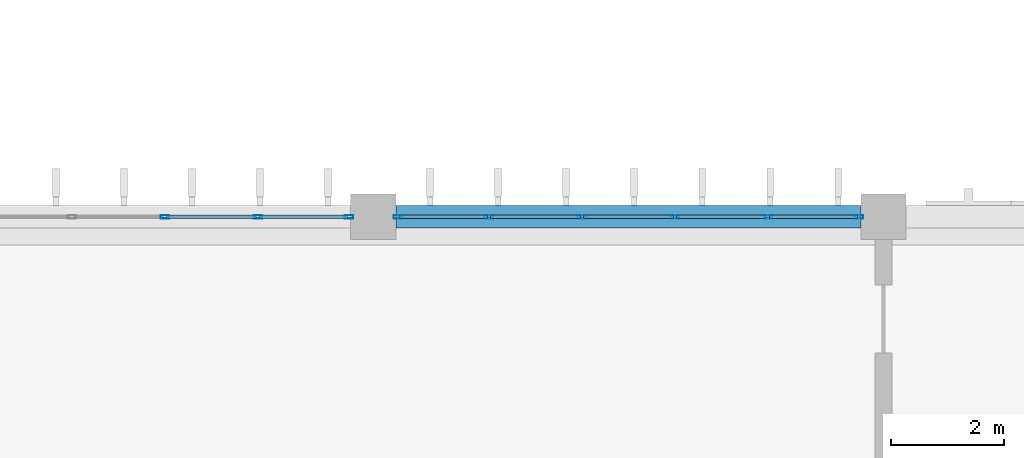
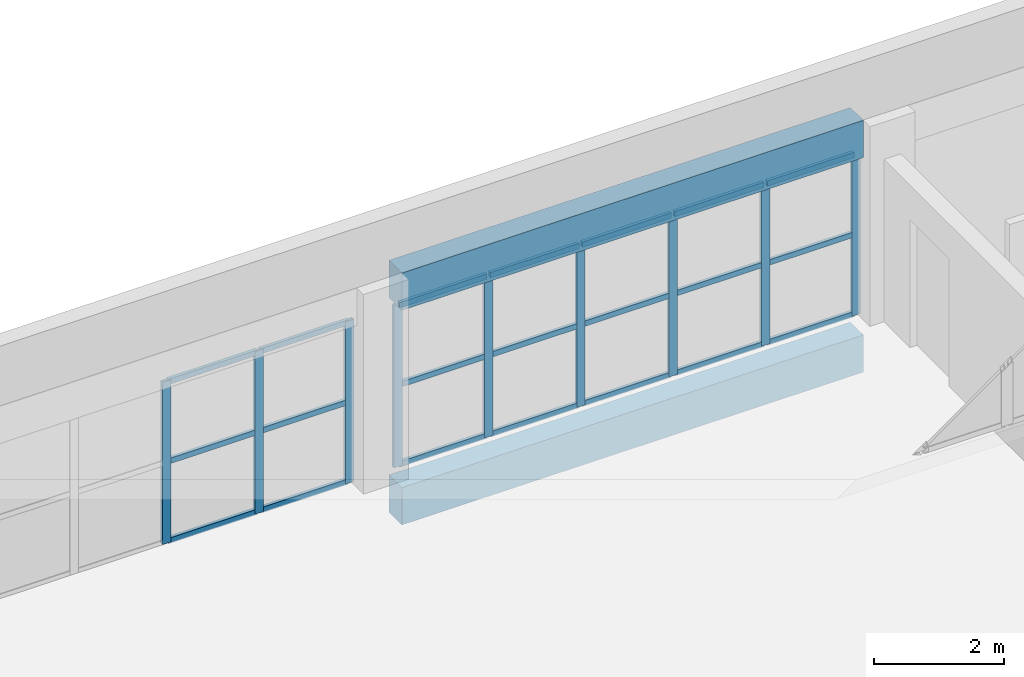
# One storey, part 67 of 185: 30 members, 2 beams, 2 elements without a shape of their own.
"""IFC4 building model written with IfcOpenShell, lengths in metres."""

from ifc_helpers import new_model, si_unit, direction, frame, origin, origin_2d, place, context, subcontext, project, spatial, rectangle, hollow_rectangle, extrude, material, layer, layer_set, material_profile, profile_set, type_object, element, aggregate, save


model = new_model("IFC4")

# Units and contexts
model_context = context("Model", 3, precision=1e-05, world=origin(), true_north=direction((0.0, 1.0)))
body_context = subcontext(model_context, "Body", "Model", "MODEL_VIEW")
ifc_project = project(units=[si_unit("LENGTHUNIT", "METRE"), si_unit("AREAUNIT", "SQUARE_METRE"), si_unit("VOLUMEUNIT", "CUBIC_METRE"), si_unit("PLANEANGLEUNIT", "RADIAN"), si_unit("MASSUNIT", "GRAM", prefix="KILO")], contexts=[model_context])

# Site, building, storey
site_placement = place(None, origin())
site = spatial("IfcSite", under=ifc_project, at=site_placement, CompositionType="ELEMENT")
building_placement = place(site_placement, origin())
building = spatial("IfcBuilding", under=site, at=building_placement, Name="Opaline Strait Convention Centre", CompositionType="ELEMENT")
storey_placement = place(building_placement, frame((0.0, 0.0, 6.0)))
storey = spatial("IfcBuildingStorey", under=building, at=storey_placement, Name="L01", CompositionType="ELEMENT", Elevation=6.0)

# Curtain wall, members
ifc_material_1 = material(Name="Aluminium 6063-T5", Category="aluminium")
ifc_layer = layer(ifc_material_1, 0.199951171875)
ifc_layer_set = layer_set([ifc_layer], Name="Aluminium 6063-T5")
curtain_wall_type = type_object("IfcCurtainWallType", Name="Unitised curtain wall 1640 module", PredefinedType="NOTDEFINED", material=ifc_layer_set)
curtain_wall_1_placement = place(storey_placement, origin())
curtain_wall_1 = element("IfcCurtainWall", 1, at=curtain_wall_1_placement, inside=storey, type_object=curtain_wall_type, Name="Ballroom north curtain wall L01 bay 5", PredefinedType="NOTDEFINED")
ifc_material_2 = material(Name="Aluminium alloy 6063", Category="aluminium")
ifc_material_profile_1 = material_profile(ifc_material_2, hollow_rectangle(XDim=0.06005859375, YDim=0.14990234375, WallThickness=0.00390625, at=origin_2d()), Name="MULLION 60x150x4")
ifc_profile_set_1 = profile_set([ifc_material_profile_1], Name="Aluminium alloy 6063")
member_type_1 = type_object("IfcMemberType", Name="Curtain wall mullion 60 x 150", PredefinedType="MULLION", material=ifc_profile_set_1)
member_1_placement = place(storey_placement, frame((329.320068359375, 72.0, 0.0), z_axis=(0.0, 0.0, 1.0), x_axis=(0.0, 1.0, 0.0)))
member_1 = element("IfcMember", 2, at=member_1_placement, type_object=member_type_1, Name="BG2 mullion 4", PredefinedType="MULLION", context=body_context, shape_type="SweptSolid", body=[
    extrude(hollow_rectangle(XDim=0.06005859375, YDim=0.14990234375, WallThickness=0.00390625, at=origin_2d()), origin(), (0.0, 0.0, 1.0), 3.050048828125),
])
member_2_placement = place(storey_placement, frame((330.9599609375, 72.0, 0.0), z_axis=(0.0, 0.0, 1.0), x_axis=(0.0, 1.0, 0.0)))
member_2 = element("IfcMember", 3, at=member_2_placement, type_object=member_type_1, Name="BG2 mullion 5", PredefinedType="MULLION", context=body_context, shape_type="SweptSolid", body=[
    extrude(hollow_rectangle(XDim=0.06005859375, YDim=0.14990234375, WallThickness=0.00390625, at=origin_2d()), origin(), (0.0, 0.0, 1.0), 3.050048828125),
])
member_3_placement = place(storey_placement, frame((332.570068359375, 72.0, 0.0), z_axis=(0.0, 0.0, 1.0), x_axis=(0.0, 1.0, 0.0)))
member_3 = element("IfcMember", 4, at=member_3_placement, type_object=member_type_1, Name="BG2 mullion 6", PredefinedType="MULLION", context=body_context, shape_type="SweptSolid", body=[
    extrude(hollow_rectangle(XDim=0.06005859375, YDim=0.14990234375, WallThickness=0.00390625, at=origin_2d()), origin(), (0.0, 0.0, 1.0), 3.050048828125),
])

curtain_wall_2_placement = place(storey_placement, origin())
curtain_wall_2 = element("IfcCurtainWall", 5, at=curtain_wall_2_placement, inside=storey, type_object=curtain_wall_type, Name="Ballroom north curtain wall L01 bay 6", PredefinedType="NOTDEFINED")
member_4_placement = place(storey_placement, frame((333.429931640625, 72.0, 0.0), z_axis=(0.0, 0.0, 1.0), x_axis=(0.0, 1.0, 0.0)))
member_4 = element("IfcMember", 6, at=member_4_placement, type_object=member_type_1, Name="BG2 mullion 1", PredefinedType="MULLION", context=body_context, shape_type="SweptSolid", body=[
    extrude(hollow_rectangle(XDim=0.06005859375, YDim=0.14990234375, WallThickness=0.00390625, at=origin_2d()), origin(), (0.0, 0.0, 1.0), 3.050048828125),
])
member_5_placement = place(storey_placement, frame((335.0400390625, 72.0, 0.0), z_axis=(0.0, 0.0, 1.0), x_axis=(0.0, 1.0, 0.0)))
member_5 = element("IfcMember", 7, at=member_5_placement, type_object=member_type_1, Name="BG2 mullion 2", PredefinedType="MULLION", context=body_context, shape_type="SweptSolid", body=[
    extrude(hollow_rectangle(XDim=0.06005859375, YDim=0.14990234375, WallThickness=0.00390625, at=origin_2d()), origin(), (0.0, 0.0, 1.0), 3.050048828125),
])
member_6_placement = place(storey_placement, frame((336.679931640625, 72.0, 0.0), z_axis=(0.0, 0.0, 1.0), x_axis=(0.0, 1.0, 0.0)))
member_6 = element("IfcMember", 8, at=member_6_placement, type_object=member_type_1, Name="BG2 mullion 3", PredefinedType="MULLION", context=body_context, shape_type="SweptSolid", body=[
    extrude(hollow_rectangle(XDim=0.06005859375, YDim=0.14990234375, WallThickness=0.00390625, at=origin_2d()), origin(), (0.0, 0.0, 1.0), 3.050048828125),
])
member_7_placement = place(storey_placement, frame((338.320068359375, 72.0, 0.0), z_axis=(0.0, 0.0, 1.0), x_axis=(0.0, 1.0, 0.0)))
member_7 = element("IfcMember", 9, at=member_7_placement, type_object=member_type_1, Name="BG2 mullion 4", PredefinedType="MULLION", context=body_context, shape_type="SweptSolid", body=[
    extrude(hollow_rectangle(XDim=0.06005859375, YDim=0.14990234375, WallThickness=0.00390625, at=origin_2d()), origin(), (0.0, 0.0, 1.0), 3.050048828125),
])
member_8_placement = place(storey_placement, frame((339.9599609375, 72.0, 0.0), z_axis=(0.0, 0.0, 1.0), x_axis=(0.0, 1.0, 0.0)))
member_8 = element("IfcMember", 10, at=member_8_placement, type_object=member_type_1, Name="BG2 mullion 5", PredefinedType="MULLION", context=body_context, shape_type="SweptSolid", body=[
    extrude(hollow_rectangle(XDim=0.06005859375, YDim=0.14990234375, WallThickness=0.00390625, at=origin_2d()), origin(), (0.0, 0.0, 1.0), 3.050048828125),
])
member_9_placement = place(storey_placement, frame((341.570068359375, 72.0, 0.0), z_axis=(0.0, 0.0, 1.0), x_axis=(0.0, 1.0, 0.0)))
member_9 = element("IfcMember", 11, at=member_9_placement, type_object=member_type_1, Name="BG2 mullion 6", PredefinedType="MULLION", context=body_context, shape_type="SweptSolid", body=[
    extrude(hollow_rectangle(XDim=0.06005859375, YDim=0.14990234375, WallThickness=0.00390625, at=origin_2d()), origin(), (0.0, 0.0, 1.0), 3.050048828125),
])

# Member
ifc_material_profile_2 = material_profile(ifc_material_2, hollow_rectangle(XDim=0.06005859375, YDim=0.10009765625, WallThickness=0.0029296875, at=origin_2d()), Name="TRANSOM 60x100x3")
ifc_profile_set_2 = profile_set([ifc_material_profile_2], Name="Aluminium alloy 6063")
member_type_2 = type_object("IfcMemberType", Name="Curtain wall transom 60 x 100", PredefinedType="USERDEFINED", material=ifc_profile_set_2)
member_10_placement = place(storey_placement, frame((329.35009765625, 72.0, 0.030029296875), z_axis=(1.0, 0.0, 0.0), x_axis=(0.0, 1.0, 0.0)))
member_10 = element("IfcMember", 12, at=member_10_placement, type_object=member_type_2, Name="BG2 transom 4.1", ObjectType="TRANSOM", PredefinedType="USERDEFINED", context=body_context, shape_type="SweptSolid", body=[
    extrude(hollow_rectangle(XDim=0.06005859375, YDim=0.10009765625, WallThickness=0.0029296875, at=origin_2d()), origin(), (0.0, 0.0, 1.0), 1.580078125),
])

member_11_placement = place(storey_placement, frame((329.35009765625, 72.0, 1.52490234375), z_axis=(1.0, 0.0, 0.0), x_axis=(0.0, 1.0, 0.0)))
member_11 = element("IfcMember", 13, at=member_11_placement, type_object=member_type_2, Name="BG2 transom 4.2", ObjectType="TRANSOM", PredefinedType="USERDEFINED", context=body_context, shape_type="SweptSolid", body=[
    extrude(hollow_rectangle(XDim=0.06005859375, YDim=0.10009765625, WallThickness=0.0029296875, at=origin_2d()), origin(), (0.0, 0.0, 1.0), 1.580078125),
])

member_12_placement = place(storey_placement, frame((329.35009765625, 72.0, 3.02001953125), z_axis=(1.0, 0.0, 0.0), x_axis=(0.0, 1.0, 0.0)))
member_12 = element("IfcMember", 14, at=member_12_placement, type_object=member_type_2, Name="BG2 transom 4.3", ObjectType="TRANSOM", PredefinedType="USERDEFINED", context=body_context, shape_type="SweptSolid", body=[
    extrude(hollow_rectangle(XDim=0.06005859375, YDim=0.10009765625, WallThickness=0.0029296875, at=origin_2d()), origin(), (0.0, 0.0, 1.0), 1.580078125),
])

member_13_placement = place(storey_placement, frame((330.989990234375, 72.0, 0.030029296875), z_axis=(1.0, 0.0, 0.0), x_axis=(0.0, 1.0, 0.0)))
member_13 = element("IfcMember", 15, at=member_13_placement, type_object=member_type_2, Name="BG2 transom 5.1", ObjectType="TRANSOM", PredefinedType="USERDEFINED", context=body_context, shape_type="SweptSolid", body=[
    extrude(hollow_rectangle(XDim=0.06005859375, YDim=0.10009765625, WallThickness=0.0029296875, at=origin_2d()), origin(), (0.0, 0.0, 1.0), 1.550048828125),
])

member_14_placement = place(storey_placement, frame((330.989990234375, 72.0, 1.52490234375), z_axis=(1.0, 0.0, 0.0), x_axis=(0.0, 1.0, 0.0)))
member_14 = element("IfcMember", 16, at=member_14_placement, type_object=member_type_2, Name="BG2 transom 5.2", ObjectType="TRANSOM", PredefinedType="USERDEFINED", context=body_context, shape_type="SweptSolid", body=[
    extrude(hollow_rectangle(XDim=0.06005859375, YDim=0.10009765625, WallThickness=0.0029296875, at=origin_2d()), origin(), (0.0, 0.0, 1.0), 1.550048828125),
])

member_15_placement = place(storey_placement, frame((330.989990234375, 72.0, 3.02001953125), z_axis=(1.0, 0.0, 0.0), x_axis=(0.0, 1.0, 0.0)))
member_15 = element("IfcMember", 17, at=member_15_placement, type_object=member_type_2, Name="BG2 transom 5.3", ObjectType="TRANSOM", PredefinedType="USERDEFINED", context=body_context, shape_type="SweptSolid", body=[
    extrude(hollow_rectangle(XDim=0.06005859375, YDim=0.10009765625, WallThickness=0.0029296875, at=origin_2d()), origin(), (0.0, 0.0, 1.0), 1.550048828125),
])

aggregate(curtain_wall_1, [member_1, member_2, member_3, member_10, member_11, member_12, member_13, member_14, member_15])

member_16_placement = place(storey_placement, frame((333.4599609375, 72.0, 0.030029296875), z_axis=(1.0, 0.0, 0.0), x_axis=(0.0, 1.0, 0.0)))
member_16 = element("IfcMember", 18, at=member_16_placement, type_object=member_type_2, Name="BG2 transom 1.1", ObjectType="TRANSOM", PredefinedType="USERDEFINED", context=body_context, shape_type="SweptSolid", body=[
    extrude(hollow_rectangle(XDim=0.06005859375, YDim=0.10009765625, WallThickness=0.0029296875, at=origin_2d()), origin(), (0.0, 0.0, 1.0), 1.550048828125),
])

member_17_placement = place(storey_placement, frame((333.4599609375, 72.0, 1.52490234375), z_axis=(1.0, 0.0, 0.0), x_axis=(0.0, 1.0, 0.0)))
member_17 = element("IfcMember", 19, at=member_17_placement, type_object=member_type_2, Name="BG2 transom 1.2", ObjectType="TRANSOM", PredefinedType="USERDEFINED", context=body_context, shape_type="SweptSolid", body=[
    extrude(hollow_rectangle(XDim=0.06005859375, YDim=0.10009765625, WallThickness=0.0029296875, at=origin_2d()), origin(), (0.0, 0.0, 1.0), 1.550048828125),
])

member_18_placement = place(storey_placement, frame((333.4599609375, 72.0, 3.02001953125), z_axis=(1.0, 0.0, 0.0), x_axis=(0.0, 1.0, 0.0)))
member_18 = element("IfcMember", 20, at=member_18_placement, type_object=member_type_2, Name="BG2 transom 1.3", ObjectType="TRANSOM", PredefinedType="USERDEFINED", context=body_context, shape_type="SweptSolid", body=[
    extrude(hollow_rectangle(XDim=0.06005859375, YDim=0.10009765625, WallThickness=0.0029296875, at=origin_2d()), origin(), (0.0, 0.0, 1.0), 1.550048828125),
])

member_19_placement = place(storey_placement, frame((335.06982421875, 72.0, 0.030029296875), z_axis=(1.0, 0.0, 0.0), x_axis=(0.0, 1.0, 0.0)))
member_19 = element("IfcMember", 21, at=member_19_placement, type_object=member_type_2, Name="BG2 transom 2.1", ObjectType="TRANSOM", PredefinedType="USERDEFINED", context=body_context, shape_type="SweptSolid", body=[
    extrude(hollow_rectangle(XDim=0.06005859375, YDim=0.10009765625, WallThickness=0.0029296875, at=origin_2d()), origin(), (0.0, 0.0, 1.0), 1.580078125),
])

member_20_placement = place(storey_placement, frame((335.06982421875, 72.0, 1.52490234375), z_axis=(1.0, 0.0, 0.0), x_axis=(0.0, 1.0, 0.0)))
member_20 = element("IfcMember", 22, at=member_20_placement, type_object=member_type_2, Name="BG2 transom 2.2", ObjectType="TRANSOM", PredefinedType="USERDEFINED", context=body_context, shape_type="SweptSolid", body=[
    extrude(hollow_rectangle(XDim=0.06005859375, YDim=0.10009765625, WallThickness=0.0029296875, at=origin_2d()), origin(), (0.0, 0.0, 1.0), 1.580078125),
])

member_21_placement = place(storey_placement, frame((335.06982421875, 72.0, 3.02001953125), z_axis=(1.0, 0.0, 0.0), x_axis=(0.0, 1.0, 0.0)))
member_21 = element("IfcMember", 23, at=member_21_placement, type_object=member_type_2, Name="BG2 transom 2.3", ObjectType="TRANSOM", PredefinedType="USERDEFINED", context=body_context, shape_type="SweptSolid", body=[
    extrude(hollow_rectangle(XDim=0.06005859375, YDim=0.10009765625, WallThickness=0.0029296875, at=origin_2d()), origin(), (0.0, 0.0, 1.0), 1.580078125),
])

member_22_placement = place(storey_placement, frame((336.7099609375, 72.0, 0.030029296875), z_axis=(1.0, 0.0, 0.0), x_axis=(0.0, 1.0, 0.0)))
member_22 = element("IfcMember", 24, at=member_22_placement, type_object=member_type_2, Name="BG2 transom 3.1", ObjectType="TRANSOM", PredefinedType="USERDEFINED", context=body_context, shape_type="SweptSolid", body=[
    extrude(hollow_rectangle(XDim=0.06005859375, YDim=0.10009765625, WallThickness=0.0029296875, at=origin_2d()), origin(), (0.0, 0.0, 1.0), 1.580078125),
])

member_23_placement = place(storey_placement, frame((336.7099609375, 72.0, 1.52490234375), z_axis=(1.0, 0.0, 0.0), x_axis=(0.0, 1.0, 0.0)))
member_23 = element("IfcMember", 25, at=member_23_placement, type_object=member_type_2, Name="BG2 transom 3.2", ObjectType="TRANSOM", PredefinedType="USERDEFINED", context=body_context, shape_type="SweptSolid", body=[
    extrude(hollow_rectangle(XDim=0.06005859375, YDim=0.10009765625, WallThickness=0.0029296875, at=origin_2d()), origin(), (0.0, 0.0, 1.0), 1.580078125),
])

member_24_placement = place(storey_placement, frame((336.7099609375, 72.0, 3.02001953125), z_axis=(1.0, 0.0, 0.0), x_axis=(0.0, 1.0, 0.0)))
member_24 = element("IfcMember", 26, at=member_24_placement, type_object=member_type_2, Name="BG2 transom 3.3", ObjectType="TRANSOM", PredefinedType="USERDEFINED", context=body_context, shape_type="SweptSolid", body=[
    extrude(hollow_rectangle(XDim=0.06005859375, YDim=0.10009765625, WallThickness=0.0029296875, at=origin_2d()), origin(), (0.0, 0.0, 1.0), 1.580078125),
])

member_25_placement = place(storey_placement, frame((338.35009765625, 72.0, 0.030029296875), z_axis=(1.0, 0.0, 0.0), x_axis=(0.0, 1.0, 0.0)))
member_25 = element("IfcMember", 27, at=member_25_placement, type_object=member_type_2, Name="BG2 transom 4.1", ObjectType="TRANSOM", PredefinedType="USERDEFINED", context=body_context, shape_type="SweptSolid", body=[
    extrude(hollow_rectangle(XDim=0.06005859375, YDim=0.10009765625, WallThickness=0.0029296875, at=origin_2d()), origin(), (0.0, 0.0, 1.0), 1.580078125),
])

member_26_placement = place(storey_placement, frame((338.35009765625, 72.0, 1.52490234375), z_axis=(1.0, 0.0, 0.0), x_axis=(0.0, 1.0, 0.0)))
member_26 = element("IfcMember", 28, at=member_26_placement, type_object=member_type_2, Name="BG2 transom 4.2", ObjectType="TRANSOM", PredefinedType="USERDEFINED", context=body_context, shape_type="SweptSolid", body=[
    extrude(hollow_rectangle(XDim=0.06005859375, YDim=0.10009765625, WallThickness=0.0029296875, at=origin_2d()), origin(), (0.0, 0.0, 1.0), 1.580078125),
])

member_27_placement = place(storey_placement, frame((338.35009765625, 72.0, 3.02001953125), z_axis=(1.0, 0.0, 0.0), x_axis=(0.0, 1.0, 0.0)))
member_27 = element("IfcMember", 29, at=member_27_placement, type_object=member_type_2, Name="BG2 transom 4.3", ObjectType="TRANSOM", PredefinedType="USERDEFINED", context=body_context, shape_type="SweptSolid", body=[
    extrude(hollow_rectangle(XDim=0.06005859375, YDim=0.10009765625, WallThickness=0.0029296875, at=origin_2d()), origin(), (0.0, 0.0, 1.0), 1.580078125),
])

member_28_placement = place(storey_placement, frame((339.989990234375, 72.0, 0.030029296875), z_axis=(1.0, 0.0, 0.0), x_axis=(0.0, 1.0, 0.0)))
member_28 = element("IfcMember", 30, at=member_28_placement, type_object=member_type_2, Name="BG2 transom 5.1", ObjectType="TRANSOM", PredefinedType="USERDEFINED", context=body_context, shape_type="SweptSolid", body=[
    extrude(hollow_rectangle(XDim=0.06005859375, YDim=0.10009765625, WallThickness=0.0029296875, at=origin_2d()), origin(), (0.0, 0.0, 1.0), 1.550048828125),
])

member_29_placement = place(storey_placement, frame((339.989990234375, 72.0, 1.52490234375), z_axis=(1.0, 0.0, 0.0), x_axis=(0.0, 1.0, 0.0)))
member_29 = element("IfcMember", 31, at=member_29_placement, type_object=member_type_2, Name="BG2 transom 5.2", ObjectType="TRANSOM", PredefinedType="USERDEFINED", context=body_context, shape_type="SweptSolid", body=[
    extrude(hollow_rectangle(XDim=0.06005859375, YDim=0.10009765625, WallThickness=0.0029296875, at=origin_2d()), origin(), (0.0, 0.0, 1.0), 1.550048828125),
])

member_30_placement = place(storey_placement, frame((339.989990234375, 72.0, 3.02001953125), z_axis=(1.0, 0.0, 0.0), x_axis=(0.0, 1.0, 0.0)))
member_30 = element("IfcMember", 32, at=member_30_placement, type_object=member_type_2, Name="BG2 transom 5.3", ObjectType="TRANSOM", PredefinedType="USERDEFINED", context=body_context, shape_type="SweptSolid", body=[
    extrude(hollow_rectangle(XDim=0.06005859375, YDim=0.10009765625, WallThickness=0.0029296875, at=origin_2d()), origin(), (0.0, 0.0, 1.0), 1.550048828125),
])

aggregate(curtain_wall_2, [member_4, member_5, member_6, member_7, member_8, member_9, member_16, member_17, member_18, member_19, member_20, member_21, member_22, member_23, member_24, member_25, member_26, member_27, member_28, member_29, member_30])

# Beams
ifc_material_3 = material(Name="Concrete C35", Category="concrete")
ifc_material_profile_3 = material_profile(ifc_material_3, rectangle(XDim=0.39990234375, YDim=0.699951171875, at=origin_2d()), Name="RC 400x700")
ifc_profile_set_3 = profile_set([ifc_material_profile_3], Name="Concrete C35")
beam_type = type_object("IfcBeamType", Name="RC girder 400x700 C35", PredefinedType="BEAM", material=ifc_profile_set_3)
for number, where, z_axis, x_axis, name in (
    (33, (333.39990234375, 72.0, -0.6298828125), (1.0, 0.0, 0.0), (0.0, 1.0, 0.0), "BB1 girder 38/J-39/J F"),
    (34, (333.39990234375, 72.0, 3.39990234375), (1.0, 0.0, 0.0), (0.0, 1.0, 0.0), "BB1 girder 38/J-39/J R"),
):
    element("IfcBeam", number, at=place(storey_placement, frame(where, z_axis=z_axis, x_axis=x_axis)), inside=storey, type_object=beam_type, Name=name, PredefinedType="BEAM", context=body_context, shape_type="SweptSolid", body=[
        extrude(rectangle(XDim=0.39990234375, YDim=0.699951171875, at=origin_2d()), origin(), (0.0, 0.0, 1.0), 8.2001953125),
    ])

save(model, "model.ifc")
